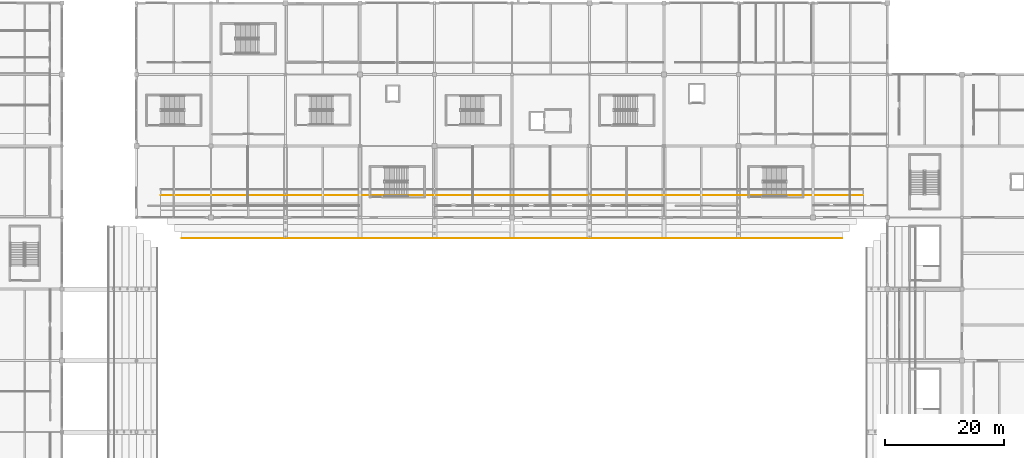
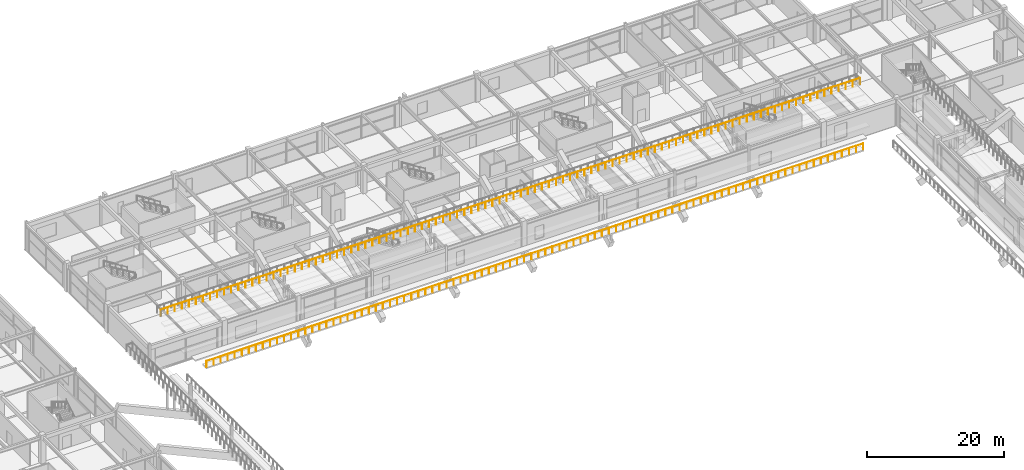
# One storey, part 116 of 128: 2 railings.
"""IFC4 building model written with IfcOpenShell, lengths in metres."""

from ifc_helpers import new_model, si_unit, direction, frame, origin, origin_2d, place, context, subcontext, project, spatial, circle, extrude, material, layer, layer_set, type_object, element, save


model = new_model("IFC4")

# Units and contexts
model_context = context("Model", 3, precision=1e-05, world=origin(), true_north=direction((0.0, 1.0)))
body_context = subcontext(model_context, "Body", "Model", "MODEL_VIEW")
ifc_project = project(units=[si_unit("LENGTHUNIT", "METRE"), si_unit("AREAUNIT", "SQUARE_METRE"), si_unit("VOLUMEUNIT", "CUBIC_METRE"), si_unit("PLANEANGLEUNIT", "RADIAN"), si_unit("MASSUNIT", "GRAM", prefix="KILO")], contexts=[model_context])

# Site, building, storey
site_placement = place(None, origin())
site = spatial("IfcSite", under=ifc_project, at=site_placement, CompositionType="ELEMENT")
building_placement = place(site_placement, origin())
building = spatial("IfcBuilding", under=site, at=building_placement, Name="Kazenohara Klinker Stadium", CompositionType="ELEMENT")
storey_placement = place(building_placement, frame((0.0, 0.0, 15.300048828125)))
storey = spatial("IfcBuildingStorey", under=building, at=storey_placement, Name="L03", CompositionType="ELEMENT", Elevation=15.300048828125)

# Railings
ifc_material = material(Name="Galvanised powder-coated steel guardrail", Category="steel")
ifc_layer = layer(ifc_material, 0.070068359375)
ifc_layer_set = layer_set([ifc_layer], Name="Galvanised powder-coated steel guardrail")
railing_type = type_object("IfcRailingType", Name="RL-GRD-1150", PredefinedType="GUARDRAIL", material=ifc_layer_set)
railing_1_placement = place(storey_placement, frame((53.06005859375, 135.719970703125, 6.349853515625)))
element("IfcRailing", 1, at=railing_1_placement, inside=storey, type_object=railing_type, Name="Spectator stand sightline guardrail TIER-UPPER-N-01-S", PredefinedType="GUARDRAIL", context=body_context, shape_type="SweptSolid", body=[
    extrude(circle(Radius=0.02392578125, at=origin_2d()), frame((0.0, 0.0, 1.1259765625), z_axis=(1.0, 0.0, 0.0), x_axis=(0.0, 1.0, 0.0)), (0.0, 0.0, 1.0), 117.8798828125),
    extrude(circle(Radius=0.02099609375, at=origin_2d()), origin(), (0.0, 0.0, 1.0), 1.101806640625),
    extrude(circle(Radius=0.02099609375, at=origin_2d()), frame((1.190673828125, 0.0, 0.0)), (0.0, 0.0, 1.0), 1.101806640625),
    extrude(circle(Radius=0.02099609375, at=origin_2d()), frame((2.38134765625, 0.0, 0.0)), (0.0, 0.0, 1.0), 1.101806640625),
    extrude(circle(Radius=0.02099609375, at=origin_2d()), frame((3.572021484375, 0.0, 0.0)), (0.0, 0.0, 1.0), 1.101806640625),
    extrude(circle(Radius=0.02099609375, at=origin_2d()), frame((4.762939453125, 0.0, 0.0)), (0.0, 0.0, 1.0), 1.101806640625),
    extrude(circle(Radius=0.02099609375, at=origin_2d()), frame((5.95361328125, 0.0, 0.0)), (0.0, 0.0, 1.0), 1.101806640625),
    extrude(circle(Radius=0.02099609375, at=origin_2d()), frame((7.144287109375, 0.0, 0.0)), (0.0, 0.0, 1.0), 1.101806640625),
    extrude(circle(Radius=0.02099609375, at=origin_2d()), frame((8.3349609375, 0.0, 0.0)), (0.0, 0.0, 1.0), 1.101806640625),
    extrude(circle(Radius=0.02099609375, at=origin_2d()), frame((9.525634765625, 0.0, 0.0)), (0.0, 0.0, 1.0), 1.101806640625),
    extrude(circle(Radius=0.02099609375, at=origin_2d()), frame((10.71630859375, 0.0, 0.0)), (0.0, 0.0, 1.0), 1.101806640625),
    extrude(circle(Radius=0.02099609375, at=origin_2d()), frame((11.906982421875, 0.0, 0.0)), (0.0, 0.0, 1.0), 1.101806640625),
    extrude(circle(Radius=0.02099609375, at=origin_2d()), frame((13.09765625, 0.0, 0.0)), (0.0, 0.0, 1.0), 1.101806640625),
    extrude(circle(Radius=0.02099609375, at=origin_2d()), frame((14.28857421875, 0.0, 0.0)), (0.0, 0.0, 1.0), 1.101806640625),
    extrude(circle(Radius=0.02099609375, at=origin_2d()), frame((15.479248046875, 0.0, 0.0)), (0.0, 0.0, 1.0), 1.101806640625),
    extrude(circle(Radius=0.02099609375, at=origin_2d()), frame((16.669921875, 0.0, 0.0)), (0.0, 0.0, 1.0), 1.101806640625),
    extrude(circle(Radius=0.02099609375, at=origin_2d()), frame((17.860595703125, 0.0, 0.0)), (0.0, 0.0, 1.0), 1.101806640625),
    extrude(circle(Radius=0.02099609375, at=origin_2d()), frame((19.05126953125, 0.0, 0.0)), (0.0, 0.0, 1.0), 1.101806640625),
    extrude(circle(Radius=0.02099609375, at=origin_2d()), frame((20.241943359375, 0.0, 0.0)), (0.0, 0.0, 1.0), 1.101806640625),
    extrude(circle(Radius=0.02099609375, at=origin_2d()), frame((21.4326171875, 0.0, 0.0)), (0.0, 0.0, 1.0), 1.101806640625),
    extrude(circle(Radius=0.02099609375, at=origin_2d()), frame((22.623291015625, 0.0, 0.0)), (0.0, 0.0, 1.0), 1.101806640625),
    extrude(circle(Radius=0.02099609375, at=origin_2d()), frame((23.814208984375, 0.0, 0.0)), (0.0, 0.0, 1.0), 1.101806640625),
    extrude(circle(Radius=0.02099609375, at=origin_2d()), frame((25.0048828125, 0.0, 0.0)), (0.0, 0.0, 1.0), 1.101806640625),
    extrude(circle(Radius=0.02099609375, at=origin_2d()), frame((26.195556640625, 0.0, 0.0)), (0.0, 0.0, 1.0), 1.101806640625),
    extrude(circle(Radius=0.02099609375, at=origin_2d()), frame((27.38623046875, 0.0, 0.0)), (0.0, 0.0, 1.0), 1.101806640625),
    extrude(circle(Radius=0.02099609375, at=origin_2d()), frame((28.576904296875, 0.0, 0.0)), (0.0, 0.0, 1.0), 1.101806640625),
    extrude(circle(Radius=0.02099609375, at=origin_2d()), frame((29.767578125, 0.0, 0.0)), (0.0, 0.0, 1.0), 1.101806640625),
    extrude(circle(Radius=0.02099609375, at=origin_2d()), frame((30.958251953125, 0.0, 0.0)), (0.0, 0.0, 1.0), 1.101806640625),
    extrude(circle(Radius=0.02099609375, at=origin_2d()), frame((32.149169921875, 0.0, 0.0)), (0.0, 0.0, 1.0), 1.101806640625),
    extrude(circle(Radius=0.02099609375, at=origin_2d()), frame((33.33984375, 0.0, 0.0)), (0.0, 0.0, 1.0), 1.101806640625),
    extrude(circle(Radius=0.02099609375, at=origin_2d()), frame((34.530517578125, 0.0, 0.0)), (0.0, 0.0, 1.0), 1.101806640625),
    extrude(circle(Radius=0.02099609375, at=origin_2d()), frame((35.72119140625, 0.0, 0.0)), (0.0, 0.0, 1.0), 1.101806640625),
    extrude(circle(Radius=0.02099609375, at=origin_2d()), frame((36.911865234375, 0.0, 0.0)), (0.0, 0.0, 1.0), 1.101806640625),
    extrude(circle(Radius=0.02099609375, at=origin_2d()), frame((38.1025390625, 0.0, 0.0)), (0.0, 0.0, 1.0), 1.101806640625),
    extrude(circle(Radius=0.02099609375, at=origin_2d()), frame((39.293212890625, 0.0, 0.0)), (0.0, 0.0, 1.0), 1.101806640625),
    extrude(circle(Radius=0.02099609375, at=origin_2d()), frame((40.48388671875, 0.0, 0.0)), (0.0, 0.0, 1.0), 1.101806640625),
    extrude(circle(Radius=0.02099609375, at=origin_2d()), frame((41.6748046875, 0.0, 0.0)), (0.0, 0.0, 1.0), 1.101806640625),
    extrude(circle(Radius=0.02099609375, at=origin_2d()), frame((42.865478515625, 0.0, 0.0)), (0.0, 0.0, 1.0), 1.101806640625),
    extrude(circle(Radius=0.02099609375, at=origin_2d()), frame((44.05615234375, 0.0, 0.0)), (0.0, 0.0, 1.0), 1.101806640625),
    extrude(circle(Radius=0.02099609375, at=origin_2d()), frame((45.246826171875, 0.0, 0.0)), (0.0, 0.0, 1.0), 1.101806640625),
    extrude(circle(Radius=0.02099609375, at=origin_2d()), frame((46.4375, 0.0, 0.0)), (0.0, 0.0, 1.0), 1.101806640625),
    extrude(circle(Radius=0.02099609375, at=origin_2d()), frame((47.628173828125, 0.0, 0.0)), (0.0, 0.0, 1.0), 1.101806640625),
    extrude(circle(Radius=0.02099609375, at=origin_2d()), frame((48.81884765625, 0.0, 0.0)), (0.0, 0.0, 1.0), 1.101806640625),
    extrude(circle(Radius=0.02099609375, at=origin_2d()), frame((50.009765625, 0.0, 0.0)), (0.0, 0.0, 1.0), 1.101806640625),
    extrude(circle(Radius=0.02099609375, at=origin_2d()), frame((51.200439453125, 0.0, 0.0)), (0.0, 0.0, 1.0), 1.101806640625),
    extrude(circle(Radius=0.02099609375, at=origin_2d()), frame((52.39111328125, 0.0, 0.0)), (0.0, 0.0, 1.0), 1.101806640625),
    extrude(circle(Radius=0.02099609375, at=origin_2d()), frame((53.581787109375, 0.0, 0.0)), (0.0, 0.0, 1.0), 1.101806640625),
    extrude(circle(Radius=0.02099609375, at=origin_2d()), frame((54.7724609375, 0.0, 0.0)), (0.0, 0.0, 1.0), 1.101806640625),
    extrude(circle(Radius=0.02099609375, at=origin_2d()), frame((55.963134765625, 0.0, 0.0)), (0.0, 0.0, 1.0), 1.101806640625),
    extrude(circle(Radius=0.02099609375, at=origin_2d()), frame((57.15380859375, 0.0, 0.0)), (0.0, 0.0, 1.0), 1.101806640625),
    extrude(circle(Radius=0.02099609375, at=origin_2d()), frame((58.344482421875, 0.0, 0.0)), (0.0, 0.0, 1.0), 1.101806640625),
    extrude(circle(Radius=0.02099609375, at=origin_2d()), frame((59.535400390625, 0.0, 0.0)), (0.0, 0.0, 1.0), 1.101806640625),
    extrude(circle(Radius=0.02099609375, at=origin_2d()), frame((60.72607421875, 0.0, 0.0)), (0.0, 0.0, 1.0), 1.101806640625),
    extrude(circle(Radius=0.02099609375, at=origin_2d()), frame((61.916748046875, 0.0, 0.0)), (0.0, 0.0, 1.0), 1.101806640625),
    extrude(circle(Radius=0.02099609375, at=origin_2d()), frame((63.107421875, 0.0, 0.0)), (0.0, 0.0, 1.0), 1.101806640625),
    extrude(circle(Radius=0.02099609375, at=origin_2d()), frame((64.298095703125, 0.0, 0.0)), (0.0, 0.0, 1.0), 1.101806640625),
    extrude(circle(Radius=0.02099609375, at=origin_2d()), frame((65.48876953125, 0.0, 0.0)), (0.0, 0.0, 1.0), 1.101806640625),
    extrude(circle(Radius=0.02099609375, at=origin_2d()), frame((66.679443359375, 0.0, 0.0)), (0.0, 0.0, 1.0), 1.101806640625),
    extrude(circle(Radius=0.02099609375, at=origin_2d()), frame((67.8701171875, 0.0, 0.0)), (0.0, 0.0, 1.0), 1.101806640625),
    extrude(circle(Radius=0.02099609375, at=origin_2d()), frame((69.06103515625, 0.0, 0.0)), (0.0, 0.0, 1.0), 1.101806640625),
    extrude(circle(Radius=0.02099609375, at=origin_2d()), frame((70.251708984375, 0.0, 0.0)), (0.0, 0.0, 1.0), 1.101806640625),
    extrude(circle(Radius=0.02099609375, at=origin_2d()), frame((71.4423828125, 0.0, 0.0)), (0.0, 0.0, 1.0), 1.101806640625),
    extrude(circle(Radius=0.02099609375, at=origin_2d()), frame((72.633056640625, 0.0, 0.0)), (0.0, 0.0, 1.0), 1.101806640625),
    extrude(circle(Radius=0.02099609375, at=origin_2d()), frame((73.82373046875, 0.0, 0.0)), (0.0, 0.0, 1.0), 1.101806640625),
    extrude(circle(Radius=0.02099609375, at=origin_2d()), frame((75.014404296875, 0.0, 0.0)), (0.0, 0.0, 1.0), 1.101806640625),
    extrude(circle(Radius=0.02099609375, at=origin_2d()), frame((76.205078125, 0.0, 0.0)), (0.0, 0.0, 1.0), 1.101806640625),
    extrude(circle(Radius=0.02099609375, at=origin_2d()), frame((77.39599609375, 0.0, 0.0)), (0.0, 0.0, 1.0), 1.101806640625),
    extrude(circle(Radius=0.02099609375, at=origin_2d()), frame((78.586669921875, 0.0, 0.0)), (0.0, 0.0, 1.0), 1.101806640625),
    extrude(circle(Radius=0.02099609375, at=origin_2d()), frame((79.77734375, 0.0, 0.0)), (0.0, 0.0, 1.0), 1.101806640625),
    extrude(circle(Radius=0.02099609375, at=origin_2d()), frame((80.968017578125, 0.0, 0.0)), (0.0, 0.0, 1.0), 1.101806640625),
    extrude(circle(Radius=0.02099609375, at=origin_2d()), frame((82.15869140625, 0.0, 0.0)), (0.0, 0.0, 1.0), 1.101806640625),
    extrude(circle(Radius=0.02099609375, at=origin_2d()), frame((83.349365234375, 0.0, 0.0)), (0.0, 0.0, 1.0), 1.101806640625),
    extrude(circle(Radius=0.02099609375, at=origin_2d()), frame((84.5400390625, 0.0, 0.0)), (0.0, 0.0, 1.0), 1.101806640625),
    extrude(circle(Radius=0.02099609375, at=origin_2d()), frame((85.730712890625, 0.0, 0.0)), (0.0, 0.0, 1.0), 1.101806640625),
    extrude(circle(Radius=0.02099609375, at=origin_2d()), frame((86.921630859375, 0.0, 0.0)), (0.0, 0.0, 1.0), 1.101806640625),
    extrude(circle(Radius=0.02099609375, at=origin_2d()), frame((88.1123046875, 0.0, 0.0)), (0.0, 0.0, 1.0), 1.101806640625),
    extrude(circle(Radius=0.02099609375, at=origin_2d()), frame((89.302978515625, 0.0, 0.0)), (0.0, 0.0, 1.0), 1.101806640625),
    extrude(circle(Radius=0.02099609375, at=origin_2d()), frame((90.49365234375, 0.0, 0.0)), (0.0, 0.0, 1.0), 1.101806640625),
    extrude(circle(Radius=0.02099609375, at=origin_2d()), frame((91.684326171875, 0.0, 0.0)), (0.0, 0.0, 1.0), 1.101806640625),
    extrude(circle(Radius=0.02099609375, at=origin_2d()), frame((92.875, 0.0, 0.0)), (0.0, 0.0, 1.0), 1.101806640625),
    extrude(circle(Radius=0.02099609375, at=origin_2d()), frame((94.065673828125, 0.0, 0.0)), (0.0, 0.0, 1.0), 1.101806640625),
    extrude(circle(Radius=0.02099609375, at=origin_2d()), frame((95.256591796875, 0.0, 0.0)), (0.0, 0.0, 1.0), 1.101806640625),
    extrude(circle(Radius=0.02099609375, at=origin_2d()), frame((96.447265625, 0.0, 0.0)), (0.0, 0.0, 1.0), 1.101806640625),
    extrude(circle(Radius=0.02099609375, at=origin_2d()), frame((97.637939453125, 0.0, 0.0)), (0.0, 0.0, 1.0), 1.101806640625),
    extrude(circle(Radius=0.02099609375, at=origin_2d()), frame((98.82861328125, 0.0, 0.0)), (0.0, 0.0, 1.0), 1.101806640625),
    extrude(circle(Radius=0.02099609375, at=origin_2d()), frame((100.019287109375, 0.0, 0.0)), (0.0, 0.0, 1.0), 1.101806640625),
    extrude(circle(Radius=0.02099609375, at=origin_2d()), frame((101.2099609375, 0.0, 0.0)), (0.0, 0.0, 1.0), 1.101806640625),
    extrude(circle(Radius=0.02099609375, at=origin_2d()), frame((102.400634765625, 0.0, 0.0)), (0.0, 0.0, 1.0), 1.101806640625),
    extrude(circle(Radius=0.02099609375, at=origin_2d()), frame((103.59130859375, 0.0, 0.0)), (0.0, 0.0, 1.0), 1.101806640625),
    extrude(circle(Radius=0.02099609375, at=origin_2d()), frame((104.7822265625, 0.0, 0.0)), (0.0, 0.0, 1.0), 1.101806640625),
    extrude(circle(Radius=0.02099609375, at=origin_2d()), frame((105.972900390625, 0.0, 0.0)), (0.0, 0.0, 1.0), 1.101806640625),
    extrude(circle(Radius=0.02099609375, at=origin_2d()), frame((107.16357421875, 0.0, 0.0)), (0.0, 0.0, 1.0), 1.101806640625),
    extrude(circle(Radius=0.02099609375, at=origin_2d()), frame((108.354248046875, 0.0, 0.0)), (0.0, 0.0, 1.0), 1.101806640625),
    extrude(circle(Radius=0.02099609375, at=origin_2d()), frame((109.544921875, 0.0, 0.0)), (0.0, 0.0, 1.0), 1.101806640625),
    extrude(circle(Radius=0.02099609375, at=origin_2d()), frame((110.735595703125, 0.0, 0.0)), (0.0, 0.0, 1.0), 1.101806640625),
    extrude(circle(Radius=0.02099609375, at=origin_2d()), frame((111.92626953125, 0.0, 0.0)), (0.0, 0.0, 1.0), 1.101806640625),
    extrude(circle(Radius=0.02099609375, at=origin_2d()), frame((113.116943359375, 0.0, 0.0)), (0.0, 0.0, 1.0), 1.101806640625),
    extrude(circle(Radius=0.02099609375, at=origin_2d()), frame((114.307861328125, 0.0, 0.0)), (0.0, 0.0, 1.0), 1.101806640625),
    extrude(circle(Radius=0.02099609375, at=origin_2d()), frame((115.49853515625, 0.0, 0.0)), (0.0, 0.0, 1.0), 1.101806640625),
    extrude(circle(Radius=0.02099609375, at=origin_2d()), frame((116.689208984375, 0.0, 0.0)), (0.0, 0.0, 1.0), 1.101806640625),
    extrude(circle(Radius=0.02099609375, at=origin_2d()), frame((117.8798828125, 0.0, 0.0)), (0.0, 0.0, 1.0), 1.101806640625),
])
railing_2_placement = place(storey_placement, frame((56.639892578125, 128.52001953125, 0.300048828125)))
element("IfcRailing", 2, at=railing_2_placement, inside=storey, type_object=railing_type, Name="Spectator stand sightline guardrail TIER-UPPER-N-07", PredefinedType="GUARDRAIL", context=body_context, shape_type="SweptSolid", body=[
    extrude(circle(Radius=0.02392578125, at=origin_2d()), frame((0.0, 0.0, 1.1259765625), z_axis=(1.0, 0.0, 0.0), x_axis=(0.0, 1.0, 0.0)), (0.0, 0.0, 1.0), 110.72021484375),
    extrude(circle(Radius=0.02099609375, at=origin_2d()), origin(), (0.0, 0.0, 1.0), 1.101806640625),
    extrude(circle(Radius=0.02099609375, at=origin_2d()), frame((1.1904296875, 0.0, 0.0)), (0.0, 0.0, 1.0), 1.101806640625),
    extrude(circle(Radius=0.02099609375, at=origin_2d()), frame((2.381103515625, 0.0, 0.0)), (0.0, 0.0, 1.0), 1.101806640625),
    extrude(circle(Radius=0.02099609375, at=origin_2d()), frame((3.571533203125, 0.0, 0.0)), (0.0, 0.0, 1.0), 1.101806640625),
    extrude(circle(Radius=0.02099609375, at=origin_2d()), frame((4.76220703125, 0.0, 0.0)), (0.0, 0.0, 1.0), 1.101806640625),
    extrude(circle(Radius=0.02099609375, at=origin_2d()), frame((5.95263671875, 0.0, 0.0)), (0.0, 0.0, 1.0), 1.101806640625),
    extrude(circle(Radius=0.02099609375, at=origin_2d()), frame((7.143310546875, 0.0, 0.0)), (0.0, 0.0, 1.0), 1.101806640625),
    extrude(circle(Radius=0.02099609375, at=origin_2d()), frame((8.333740234375, 0.0, 0.0)), (0.0, 0.0, 1.0), 1.101806640625),
    extrude(circle(Radius=0.02099609375, at=origin_2d()), frame((9.5244140625, 0.0, 0.0)), (0.0, 0.0, 1.0), 1.101806640625),
    extrude(circle(Radius=0.02099609375, at=origin_2d()), frame((10.71484375, 0.0, 0.0)), (0.0, 0.0, 1.0), 1.101806640625),
    extrude(circle(Radius=0.02099609375, at=origin_2d()), frame((11.905517578125, 0.0, 0.0)), (0.0, 0.0, 1.0), 1.101806640625),
    extrude(circle(Radius=0.02099609375, at=origin_2d()), frame((13.095947265625, 0.0, 0.0)), (0.0, 0.0, 1.0), 1.101806640625),
    extrude(circle(Radius=0.02099609375, at=origin_2d()), frame((14.286376953125, 0.0, 0.0)), (0.0, 0.0, 1.0), 1.101806640625),
    extrude(circle(Radius=0.02099609375, at=origin_2d()), frame((15.47705078125, 0.0, 0.0)), (0.0, 0.0, 1.0), 1.101806640625),
    extrude(circle(Radius=0.02099609375, at=origin_2d()), frame((16.66748046875, 0.0, 0.0)), (0.0, 0.0, 1.0), 1.101806640625),
    extrude(circle(Radius=0.02099609375, at=origin_2d()), frame((17.858154296875, 0.0, 0.0)), (0.0, 0.0, 1.0), 1.101806640625),
    extrude(circle(Radius=0.02099609375, at=origin_2d()), frame((19.048583984375, 0.0, 0.0)), (0.0, 0.0, 1.0), 1.101806640625),
    extrude(circle(Radius=0.02099609375, at=origin_2d()), frame((20.2392578125, 0.0, 0.0)), (0.0, 0.0, 1.0), 1.101806640625),
    extrude(circle(Radius=0.02099609375, at=origin_2d()), frame((21.4296875, 0.0, 0.0)), (0.0, 0.0, 1.0), 1.101806640625),
    extrude(circle(Radius=0.02099609375, at=origin_2d()), frame((22.620361328125, 0.0, 0.0)), (0.0, 0.0, 1.0), 1.101806640625),
    extrude(circle(Radius=0.02099609375, at=origin_2d()), frame((23.810791015625, 0.0, 0.0)), (0.0, 0.0, 1.0), 1.101806640625),
    extrude(circle(Radius=0.02099609375, at=origin_2d()), frame((25.001220703125, 0.0, 0.0)), (0.0, 0.0, 1.0), 1.101806640625),
    extrude(circle(Radius=0.02099609375, at=origin_2d()), frame((26.19189453125, 0.0, 0.0)), (0.0, 0.0, 1.0), 1.101806640625),
    extrude(circle(Radius=0.02099609375, at=origin_2d()), frame((27.38232421875, 0.0, 0.0)), (0.0, 0.0, 1.0), 1.101806640625),
    extrude(circle(Radius=0.02099609375, at=origin_2d()), frame((28.572998046875, 0.0, 0.0)), (0.0, 0.0, 1.0), 1.101806640625),
    extrude(circle(Radius=0.02099609375, at=origin_2d()), frame((29.763427734375, 0.0, 0.0)), (0.0, 0.0, 1.0), 1.101806640625),
    extrude(circle(Radius=0.02099609375, at=origin_2d()), frame((30.9541015625, 0.0, 0.0)), (0.0, 0.0, 1.0), 1.101806640625),
    extrude(circle(Radius=0.02099609375, at=origin_2d()), frame((32.14453125, 0.0, 0.0)), (0.0, 0.0, 1.0), 1.101806640625),
    extrude(circle(Radius=0.02099609375, at=origin_2d()), frame((33.335205078125, 0.0, 0.0)), (0.0, 0.0, 1.0), 1.101806640625),
    extrude(circle(Radius=0.02099609375, at=origin_2d()), frame((34.525634765625, 0.0, 0.0)), (0.0, 0.0, 1.0), 1.101806640625),
    extrude(circle(Radius=0.02099609375, at=origin_2d()), frame((35.71630859375, 0.0, 0.0)), (0.0, 0.0, 1.0), 1.101806640625),
    extrude(circle(Radius=0.02099609375, at=origin_2d()), frame((36.90673828125, 0.0, 0.0)), (0.0, 0.0, 1.0), 1.101806640625),
    extrude(circle(Radius=0.02099609375, at=origin_2d()), frame((38.09716796875, 0.0, 0.0)), (0.0, 0.0, 1.0), 1.101806640625),
    extrude(circle(Radius=0.02099609375, at=origin_2d()), frame((39.287841796875, 0.0, 0.0)), (0.0, 0.0, 1.0), 1.101806640625),
    extrude(circle(Radius=0.02099609375, at=origin_2d()), frame((40.478271484375, 0.0, 0.0)), (0.0, 0.0, 1.0), 1.101806640625),
    extrude(circle(Radius=0.02099609375, at=origin_2d()), frame((41.6689453125, 0.0, 0.0)), (0.0, 0.0, 1.0), 1.101806640625),
    extrude(circle(Radius=0.02099609375, at=origin_2d()), frame((42.859375, 0.0, 0.0)), (0.0, 0.0, 1.0), 1.101806640625),
    extrude(circle(Radius=0.02099609375, at=origin_2d()), frame((44.050048828125, 0.0, 0.0)), (0.0, 0.0, 1.0), 1.101806640625),
    extrude(circle(Radius=0.02099609375, at=origin_2d()), frame((45.240478515625, 0.0, 0.0)), (0.0, 0.0, 1.0), 1.101806640625),
    extrude(circle(Radius=0.02099609375, at=origin_2d()), frame((46.43115234375, 0.0, 0.0)), (0.0, 0.0, 1.0), 1.101806640625),
    extrude(circle(Radius=0.02099609375, at=origin_2d()), frame((47.62158203125, 0.0, 0.0)), (0.0, 0.0, 1.0), 1.101806640625),
    extrude(circle(Radius=0.02099609375, at=origin_2d()), frame((48.812255859375, 0.0, 0.0)), (0.0, 0.0, 1.0), 1.101806640625),
    extrude(circle(Radius=0.02099609375, at=origin_2d()), frame((50.002685546875, 0.0, 0.0)), (0.0, 0.0, 1.0), 1.101806640625),
    extrude(circle(Radius=0.02099609375, at=origin_2d()), frame((51.193115234375, 0.0, 0.0)), (0.0, 0.0, 1.0), 1.101806640625),
    extrude(circle(Radius=0.02099609375, at=origin_2d()), frame((52.3837890625, 0.0, 0.0)), (0.0, 0.0, 1.0), 1.101806640625),
    extrude(circle(Radius=0.02099609375, at=origin_2d()), frame((53.57421875, 0.0, 0.0)), (0.0, 0.0, 1.0), 1.101806640625),
    extrude(circle(Radius=0.02099609375, at=origin_2d()), frame((54.764892578125, 0.0, 0.0)), (0.0, 0.0, 1.0), 1.101806640625),
    extrude(circle(Radius=0.02099609375, at=origin_2d()), frame((55.955322265625, 0.0, 0.0)), (0.0, 0.0, 1.0), 1.101806640625),
    extrude(circle(Radius=0.02099609375, at=origin_2d()), frame((57.14599609375, 0.0, 0.0)), (0.0, 0.0, 1.0), 1.101806640625),
    extrude(circle(Radius=0.02099609375, at=origin_2d()), frame((58.33642578125, 0.0, 0.0)), (0.0, 0.0, 1.0), 1.101806640625),
    extrude(circle(Radius=0.02099609375, at=origin_2d()), frame((59.527099609375, 0.0, 0.0)), (0.0, 0.0, 1.0), 1.101806640625),
    extrude(circle(Radius=0.02099609375, at=origin_2d()), frame((60.717529296875, 0.0, 0.0)), (0.0, 0.0, 1.0), 1.101806640625),
    extrude(circle(Radius=0.02099609375, at=origin_2d()), frame((61.907958984375, 0.0, 0.0)), (0.0, 0.0, 1.0), 1.101806640625),
    extrude(circle(Radius=0.02099609375, at=origin_2d()), frame((63.0986328125, 0.0, 0.0)), (0.0, 0.0, 1.0), 1.101806640625),
    extrude(circle(Radius=0.02099609375, at=origin_2d()), frame((64.2890625, 0.0, 0.0)), (0.0, 0.0, 1.0), 1.101806640625),
    extrude(circle(Radius=0.02099609375, at=origin_2d()), frame((65.479736328125, 0.0, 0.0)), (0.0, 0.0, 1.0), 1.101806640625),
    extrude(circle(Radius=0.02099609375, at=origin_2d()), frame((66.670166015625, 0.0, 0.0)), (0.0, 0.0, 1.0), 1.101806640625),
    extrude(circle(Radius=0.02099609375, at=origin_2d()), frame((67.86083984375, 0.0, 0.0)), (0.0, 0.0, 1.0), 1.101806640625),
    extrude(circle(Radius=0.02099609375, at=origin_2d()), frame((69.05126953125, 0.0, 0.0)), (0.0, 0.0, 1.0), 1.101806640625),
    extrude(circle(Radius=0.02099609375, at=origin_2d()), frame((70.241943359375, 0.0, 0.0)), (0.0, 0.0, 1.0), 1.101806640625),
    extrude(circle(Radius=0.02099609375, at=origin_2d()), frame((71.432373046875, 0.0, 0.0)), (0.0, 0.0, 1.0), 1.101806640625),
    extrude(circle(Radius=0.02099609375, at=origin_2d()), frame((72.623046875, 0.0, 0.0)), (0.0, 0.0, 1.0), 1.101806640625),
    extrude(circle(Radius=0.02099609375, at=origin_2d()), frame((73.8134765625, 0.0, 0.0)), (0.0, 0.0, 1.0), 1.101806640625),
    extrude(circle(Radius=0.02099609375, at=origin_2d()), frame((75.00390625, 0.0, 0.0)), (0.0, 0.0, 1.0), 1.101806640625),
    extrude(circle(Radius=0.02099609375, at=origin_2d()), frame((76.194580078125, 0.0, 0.0)), (0.0, 0.0, 1.0), 1.101806640625),
    extrude(circle(Radius=0.02099609375, at=origin_2d()), frame((77.385009765625, 0.0, 0.0)), (0.0, 0.0, 1.0), 1.101806640625),
    extrude(circle(Radius=0.02099609375, at=origin_2d()), frame((78.57568359375, 0.0, 0.0)), (0.0, 0.0, 1.0), 1.101806640625),
    extrude(circle(Radius=0.02099609375, at=origin_2d()), frame((79.76611328125, 0.0, 0.0)), (0.0, 0.0, 1.0), 1.101806640625),
    extrude(circle(Radius=0.02099609375, at=origin_2d()), frame((80.956787109375, 0.0, 0.0)), (0.0, 0.0, 1.0), 1.101806640625),
    extrude(circle(Radius=0.02099609375, at=origin_2d()), frame((82.147216796875, 0.0, 0.0)), (0.0, 0.0, 1.0), 1.101806640625),
    extrude(circle(Radius=0.02099609375, at=origin_2d()), frame((83.337890625, 0.0, 0.0)), (0.0, 0.0, 1.0), 1.101806640625),
    extrude(circle(Radius=0.02099609375, at=origin_2d()), frame((84.5283203125, 0.0, 0.0)), (0.0, 0.0, 1.0), 1.101806640625),
    extrude(circle(Radius=0.02099609375, at=origin_2d()), frame((85.718994140625, 0.0, 0.0)), (0.0, 0.0, 1.0), 1.101806640625),
    extrude(circle(Radius=0.02099609375, at=origin_2d()), frame((86.909423828125, 0.0, 0.0)), (0.0, 0.0, 1.0), 1.101806640625),
    extrude(circle(Radius=0.02099609375, at=origin_2d()), frame((88.099853515625, 0.0, 0.0)), (0.0, 0.0, 1.0), 1.101806640625),
    extrude(circle(Radius=0.02099609375, at=origin_2d()), frame((89.29052734375, 0.0, 0.0)), (0.0, 0.0, 1.0), 1.101806640625),
    extrude(circle(Radius=0.02099609375, at=origin_2d()), frame((90.48095703125, 0.0, 0.0)), (0.0, 0.0, 1.0), 1.101806640625),
    extrude(circle(Radius=0.02099609375, at=origin_2d()), frame((91.671630859375, 0.0, 0.0)), (0.0, 0.0, 1.0), 1.101806640625),
    extrude(circle(Radius=0.02099609375, at=origin_2d()), frame((92.862060546875, 0.0, 0.0)), (0.0, 0.0, 1.0), 1.101806640625),
    extrude(circle(Radius=0.02099609375, at=origin_2d()), frame((94.052734375, 0.0, 0.0)), (0.0, 0.0, 1.0), 1.101806640625),
    extrude(circle(Radius=0.02099609375, at=origin_2d()), frame((95.2431640625, 0.0, 0.0)), (0.0, 0.0, 1.0), 1.101806640625),
    extrude(circle(Radius=0.02099609375, at=origin_2d()), frame((96.433837890625, 0.0, 0.0)), (0.0, 0.0, 1.0), 1.101806640625),
    extrude(circle(Radius=0.02099609375, at=origin_2d()), frame((97.624267578125, 0.0, 0.0)), (0.0, 0.0, 1.0), 1.101806640625),
    extrude(circle(Radius=0.02099609375, at=origin_2d()), frame((98.814697265625, 0.0, 0.0)), (0.0, 0.0, 1.0), 1.101806640625),
    extrude(circle(Radius=0.02099609375, at=origin_2d()), frame((100.00537109375, 0.0, 0.0)), (0.0, 0.0, 1.0), 1.101806640625),
    extrude(circle(Radius=0.02099609375, at=origin_2d()), frame((101.19580078125, 0.0, 0.0)), (0.0, 0.0, 1.0), 1.101806640625),
    extrude(circle(Radius=0.02099609375, at=origin_2d()), frame((102.386474609375, 0.0, 0.0)), (0.0, 0.0, 1.0), 1.101806640625),
    extrude(circle(Radius=0.02099609375, at=origin_2d()), frame((103.576904296875, 0.0, 0.0)), (0.0, 0.0, 1.0), 1.101806640625),
    extrude(circle(Radius=0.02099609375, at=origin_2d()), frame((104.767578125, 0.0, 0.0)), (0.0, 0.0, 1.0), 1.101806640625),
    extrude(circle(Radius=0.02099609375, at=origin_2d()), frame((105.9580078125, 0.0, 0.0)), (0.0, 0.0, 1.0), 1.101806640625),
    extrude(circle(Radius=0.02099609375, at=origin_2d()), frame((107.148681640625, 0.0, 0.0)), (0.0, 0.0, 1.0), 1.101806640625),
    extrude(circle(Radius=0.02099609375, at=origin_2d()), frame((108.339111328125, 0.0, 0.0)), (0.0, 0.0, 1.0), 1.101806640625),
    extrude(circle(Radius=0.02099609375, at=origin_2d()), frame((109.52978515625, 0.0, 0.0)), (0.0, 0.0, 1.0), 1.101806640625),
    extrude(circle(Radius=0.02099609375, at=origin_2d()), frame((110.72021484375, 0.0, 0.0)), (0.0, 0.0, 1.0), 1.101806640625),
])

save(model, "model.ifc")
